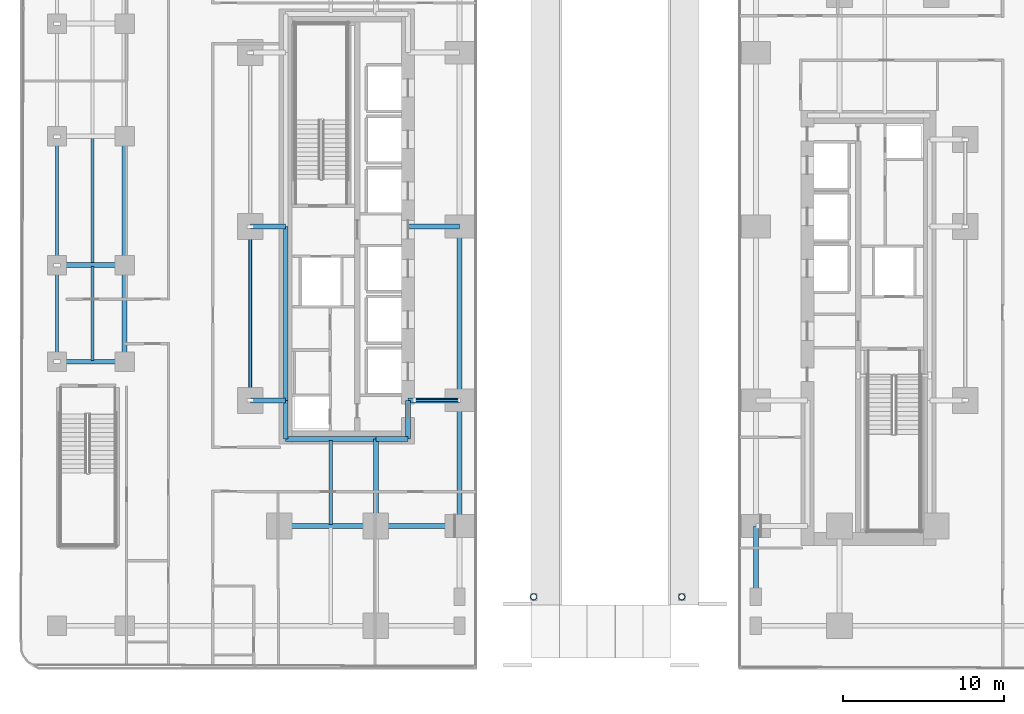
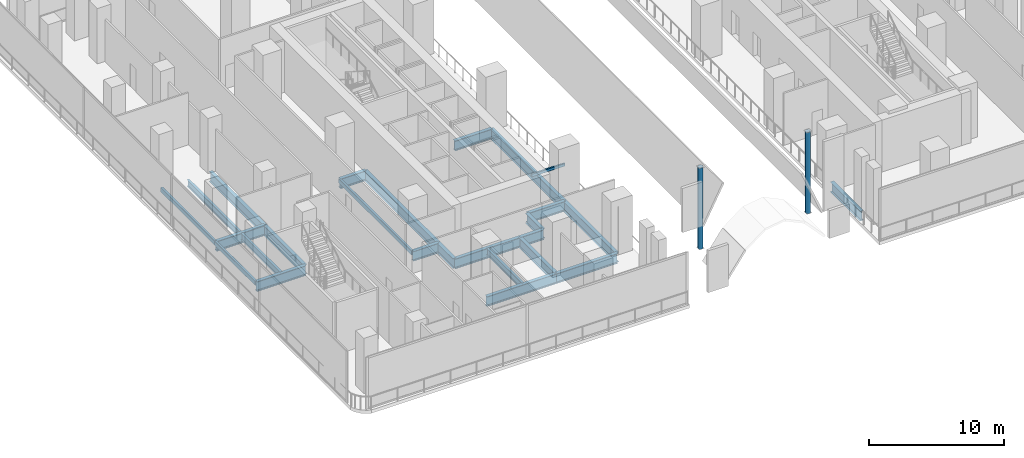
# One storey, part 2 of 31: 26 beams, 2 members.
"""IFC4 building model written with IfcOpenShell, lengths in metres."""

from ifc_helpers import new_model, si_unit, direction, frame, origin, origin_2d, place, context, subcontext, project, spatial, hollow_rectangle, hollow_circle, i_section, extrude, material, material_profile, profile_set, type_object, element, save


model = new_model("IFC4")

# Units and contexts
model_context = context("Model", 3, precision=1e-05, world=origin(), true_north=direction((0.0, 1.0)))
body_context = subcontext(model_context, "Body", "Model", "MODEL_VIEW")
ifc_project = project(units=[si_unit("LENGTHUNIT", "METRE"), si_unit("AREAUNIT", "SQUARE_METRE"), si_unit("VOLUMEUNIT", "CUBIC_METRE"), si_unit("PLANEANGLEUNIT", "RADIAN"), si_unit("MASSUNIT", "GRAM", prefix="KILO")], contexts=[model_context])

# Site, building, storey
site_placement = place(None, origin())
site = spatial("IfcSite", under=ifc_project, at=site_placement, CompositionType="ELEMENT")
building_placement = place(site_placement, origin())
building = spatial("IfcBuilding", under=site, at=building_placement, Name="Khairoan Windgate Tower", CompositionType="ELEMENT")
storey_placement = place(building_placement, frame((0.0, 0.0, 11.0)))
storey = spatial("IfcBuildingStorey", under=building, at=storey_placement, Name="L03", CompositionType="ELEMENT", Elevation=11.0)

# Beams
ifc_material_1 = material(Name="Steel S355", Category="steel")
ifc_material_profile_1 = material_profile(ifc_material_1, i_section(OverallWidth=0.300048828125, OverallDepth=0.89990234375, WebThickness=0.01611328125, FlangeThickness=0.028076171875, FilletRadius=0.028076171875, at=origin_2d()))
ifc_profile_set_1 = profile_set([ifc_material_profile_1], Name="Steel S355")
beam_type_1 = type_object("IfcBeamType", Name="Beam B-G1 H900x300x16x28", PredefinedType="BEAM", material=ifc_profile_set_1)
beam_1_placement = place(storey_placement, frame((-20.39990234375, -18.60009765625, -0.75), z_axis=(1.0, 0.0, 0.0), x_axis=(0.0, 1.0, 0.0)))
element("IfcBeam", 1, at=beam_1_placement, inside=storey, type_object=beam_type_1, Name="L03 E-W Primary Girder 07", PredefinedType="BEAM", context=body_context, shape_type="SweptSolid", body=[
    extrude(i_section(OverallWidth=0.300048828125, OverallDepth=0.89990234375, WebThickness=0.01611328125, FlangeThickness=0.028076171875, FilletRadius=0.028076171875, at=origin_2d()), origin(), (0.0, 0.0, 1.0), 6.0),
])
beam_2_placement = place(storey_placement, frame((-14.39990234375, -18.60009765625, -0.75), z_axis=(1.0, 0.0, 0.0), x_axis=(0.0, 1.0, 0.0)))
element("IfcBeam", 2, at=beam_2_placement, inside=storey, type_object=beam_type_1, Name="L03 E-W Primary Girder 08", PredefinedType="BEAM", context=body_context, shape_type="SweptSolid", body=[
    extrude(i_section(OverallWidth=0.300048828125, OverallDepth=0.89990234375, WebThickness=0.01611328125, FlangeThickness=0.028076171875, FilletRadius=0.028076171875, at=origin_2d()), origin(), (0.0, 0.0, 1.0), 5.199951171875),
])
beam_3_placement = place(storey_placement, frame((-20.0, -13.199951171875, -0.75), z_axis=(1.0, 0.0, 0.0), x_axis=(0.0, 1.0, 0.0)))
element("IfcBeam", 3, at=beam_3_placement, inside=storey, type_object=beam_type_1, Name="L03 E-W Primary Girder 10", PredefinedType="BEAM", context=body_context, shape_type="SweptSolid", body=[
    extrude(i_section(OverallWidth=0.300048828125, OverallDepth=0.89990234375, WebThickness=0.01611328125, FlangeThickness=0.028076171875, FilletRadius=0.028076171875, at=origin_2d()), origin(), (0.0, 0.0, 1.0), 5.60009765625),
])
beam_4_placement = place(storey_placement, frame((-14.39990234375, -13.199951171875, -0.75), z_axis=(1.0, 0.0, 0.0), x_axis=(0.0, 1.0, 0.0)))
element("IfcBeam", 4, at=beam_4_placement, inside=storey, type_object=beam_type_1, Name="L03 E-W Primary Girder 11", PredefinedType="BEAM", context=body_context, shape_type="SweptSolid", body=[
    extrude(i_section(OverallWidth=0.300048828125, OverallDepth=0.89990234375, WebThickness=0.01611328125, FlangeThickness=0.028076171875, FilletRadius=0.028076171875, at=origin_2d()), origin(), (0.0, 0.0, 1.0), 2.0),
])
beam_5_placement = place(storey_placement, frame((-22.199951171875, -10.800048828125, -0.75), z_axis=(1.0, 0.0, 0.0), x_axis=(0.0, 1.0, 0.0)))
element("IfcBeam", 5, at=beam_5_placement, inside=storey, type_object=beam_type_1, Name="L03 E-W Primary Girder 12", PredefinedType="BEAM", context=body_context, shape_type="SweptSolid", body=[
    extrude(i_section(OverallWidth=0.300048828125, OverallDepth=0.89990234375, WebThickness=0.01611328125, FlangeThickness=0.028076171875, FilletRadius=0.028076171875, at=origin_2d()), origin(), (0.0, 0.0, 1.0), 2.199951171875),
])
beam_6_placement = place(storey_placement, frame((-12.39990234375, -10.800048828125, -0.75), z_axis=(1.0, 0.0, 0.0), x_axis=(0.0, 1.0, 0.0)))
element("IfcBeam", 6, at=beam_6_placement, inside=storey, type_object=beam_type_1, Name="L03 E-W Primary Girder 13", PredefinedType="BEAM", context=body_context, shape_type="SweptSolid", body=[
    extrude(i_section(OverallWidth=0.300048828125, OverallDepth=0.89990234375, WebThickness=0.01611328125, FlangeThickness=0.028076171875, FilletRadius=0.028076171875, at=origin_2d()), origin(), (0.0, 0.0, 1.0), 3.199951171875),
])
for number, where, z_axis, x_axis, name in (
    (7, (-34.199951171875, -8.39990234375, -0.75), (1.0, 0.0, 0.0), (0.0, 1.0, 0.0), "L03 E-W Primary Girder 16"),
    (8, (-34.199951171875, -2.39990234375, -0.75), (1.0, 0.0, 0.0), (0.0, 1.0, 0.0), "L03 E-W Primary Girder 18"),
):
    element("IfcBeam", number, at=place(storey_placement, frame(where, z_axis=z_axis, x_axis=x_axis)), inside=storey, type_object=beam_type_1, Name=name, PredefinedType="BEAM", context=body_context, shape_type="SweptSolid", body=[
        extrude(i_section(OverallWidth=0.300048828125, OverallDepth=0.89990234375, WebThickness=0.01611328125, FlangeThickness=0.028076171875, FilletRadius=0.028076171875, at=origin_2d()), origin(), (0.0, 0.0, 1.0), 4.199951171875),
    ])
beam_7_placement = place(storey_placement, frame((-22.199951171875, 0.0, -0.75), z_axis=(1.0, 0.0, 0.0), x_axis=(0.0, 1.0, 0.0)))
element("IfcBeam", 9, at=beam_7_placement, inside=storey, type_object=beam_type_1, Name="L03 E-W Primary Girder 20", PredefinedType="BEAM", context=body_context, shape_type="SweptSolid", body=[
    extrude(i_section(OverallWidth=0.300048828125, OverallDepth=0.89990234375, WebThickness=0.01611328125, FlangeThickness=0.028076171875, FilletRadius=0.028076171875, at=origin_2d()), origin(), (0.0, 0.0, 1.0), 2.199951171875),
])
beam_8_placement = place(storey_placement, frame((-12.39990234375, 0.0, -0.75), z_axis=(1.0, 0.0, 0.0), x_axis=(0.0, 1.0, 0.0)))
element("IfcBeam", 10, at=beam_8_placement, inside=storey, type_object=beam_type_1, Name="L03 E-W Primary Girder 21", PredefinedType="BEAM", context=body_context, shape_type="SweptSolid", body=[
    extrude(i_section(OverallWidth=0.300048828125, OverallDepth=0.89990234375, WebThickness=0.01611328125, FlangeThickness=0.028076171875, FilletRadius=0.028076171875, at=origin_2d()), origin(), (0.0, 0.0, 1.0), 3.199951171875),
])
beam_9_placement = place(storey_placement, frame((-30.0, -8.39990234375, -0.75), z_axis=(0.0, 1.0, 0.0), x_axis=(-1.0, 0.0, 0.0)))
element("IfcBeam", 11, at=beam_9_placement, inside=storey, type_object=beam_type_1, Name="L03 N-S Primary Beam 48", PredefinedType="BEAM", context=body_context, shape_type="SweptSolid", body=[
    extrude(i_section(OverallWidth=0.300048828125, OverallDepth=0.89990234375, WebThickness=0.01611328125, FlangeThickness=0.028076171875, FilletRadius=0.028076171875, at=origin_2d()), origin(), (0.0, 0.0, 1.0), 6.0),
])
beam_10_placement = place(storey_placement, frame((-30.0, -2.39990234375, -0.75), z_axis=(0.0, 1.0, 0.0), x_axis=(-1.0, 0.0, 0.0)))
element("IfcBeam", 12, at=beam_10_placement, inside=storey, type_object=beam_type_1, Name="L03 N-S Primary Beam 49", PredefinedType="BEAM", context=body_context, shape_type="SweptSolid", body=[
    extrude(i_section(OverallWidth=0.300048828125, OverallDepth=0.89990234375, WebThickness=0.01611328125, FlangeThickness=0.028076171875, FilletRadius=0.028076171875, at=origin_2d()), origin(), (0.0, 0.0, 1.0), 8.0),
])
beam_11_placement = place(storey_placement, frame((-20.0, -13.199951171875, -0.75), z_axis=(0.0, 1.0, 0.0), x_axis=(-1.0, 0.0, 0.0)))
element("IfcBeam", 13, at=beam_11_placement, inside=storey, type_object=beam_type_1, Name="L03 N-S Primary Beam 55", PredefinedType="BEAM", context=body_context, shape_type="SweptSolid", body=[
    extrude(i_section(OverallWidth=0.300048828125, OverallDepth=0.89990234375, WebThickness=0.01611328125, FlangeThickness=0.028076171875, FilletRadius=0.028076171875, at=origin_2d()), origin(), (0.0, 0.0, 1.0), 2.39990234375),
])
beam_12_placement = place(storey_placement, frame((-20.0, -10.800048828125, -0.75), z_axis=(0.0, 1.0, 0.0), x_axis=(-1.0, 0.0, 0.0)))
element("IfcBeam", 14, at=beam_12_placement, inside=storey, type_object=beam_type_1, Name="L03 N-S Primary Beam 56", PredefinedType="BEAM", context=body_context, shape_type="SweptSolid", body=[
    extrude(i_section(OverallWidth=0.300048828125, OverallDepth=0.89990234375, WebThickness=0.01611328125, FlangeThickness=0.028076171875, FilletRadius=0.028076171875, at=origin_2d()), origin(), (0.0, 0.0, 1.0), 10.800048828125),
])
beam_13_placement = place(storey_placement, frame((-14.39990234375, -18.60009765625, -0.75), z_axis=(0.0, 1.0, 0.0), x_axis=(-1.0, 0.0, 0.0)))
element("IfcBeam", 15, at=beam_13_placement, inside=storey, type_object=beam_type_1, Name="L03 N-S Primary Beam 60", PredefinedType="BEAM", context=body_context, shape_type="SweptSolid", body=[
    extrude(i_section(OverallWidth=0.300048828125, OverallDepth=0.89990234375, WebThickness=0.01611328125, FlangeThickness=0.028076171875, FilletRadius=0.028076171875, at=origin_2d()), origin(), (0.0, 0.0, 1.0), 5.400146484375),
])
beam_14_placement = place(storey_placement, frame((-12.39990234375, -13.199951171875, -0.75), z_axis=(0.0, 1.0, 0.0), x_axis=(-1.0, 0.0, 0.0)))
element("IfcBeam", 16, at=beam_14_placement, inside=storey, type_object=beam_type_1, Name="L03 N-S Primary Beam 63", PredefinedType="BEAM", context=body_context, shape_type="SweptSolid", body=[
    extrude(i_section(OverallWidth=0.300048828125, OverallDepth=0.89990234375, WebThickness=0.01611328125, FlangeThickness=0.028076171875, FilletRadius=0.028076171875, at=origin_2d()), origin(), (0.0, 0.0, 1.0), 2.39990234375),
])
beam_15_placement = place(storey_placement, frame((-9.199951171875, -18.60009765625, -0.75), z_axis=(0.0, 1.0, 0.0), x_axis=(-1.0, 0.0, 0.0)))
element("IfcBeam", 17, at=beam_15_placement, inside=storey, type_object=beam_type_1, Name="L03 N-S Primary Beam 66", PredefinedType="BEAM", context=body_context, shape_type="SweptSolid", body=[
    extrude(i_section(OverallWidth=0.300048828125, OverallDepth=0.89990234375, WebThickness=0.01611328125, FlangeThickness=0.028076171875, FilletRadius=0.028076171875, at=origin_2d()), origin(), (0.0, 0.0, 1.0), 7.800048828125),
])
beam_16_placement = place(storey_placement, frame((-9.199951171875, -10.800048828125, -0.75), z_axis=(0.0, 1.0, 0.0), x_axis=(-1.0, 0.0, 0.0)))
element("IfcBeam", 18, at=beam_16_placement, inside=storey, type_object=beam_type_1, Name="L03 N-S Primary Beam 67", PredefinedType="BEAM", context=body_context, shape_type="SweptSolid", body=[
    extrude(i_section(OverallWidth=0.300048828125, OverallDepth=0.89990234375, WebThickness=0.01611328125, FlangeThickness=0.028076171875, FilletRadius=0.028076171875, at=origin_2d()), origin(), (0.0, 0.0, 1.0), 10.800048828125),
])
beam_17_placement = place(storey_placement, frame((9.199951171875, -23.0, -0.75), z_axis=(0.0, 1.0, 0.0), x_axis=(-1.0, 0.0, 0.0)))
element("IfcBeam", 19, at=beam_17_placement, inside=storey, type_object=beam_type_1, Name="L03 N-S Primary Beam 71", PredefinedType="BEAM", context=body_context, shape_type="SweptSolid", body=[
    extrude(i_section(OverallWidth=0.300048828125, OverallDepth=0.89990234375, WebThickness=0.01611328125, FlangeThickness=0.028076171875, FilletRadius=0.028076171875, at=origin_2d()), origin(), (0.0, 0.0, 1.0), 4.39990234375),
])
ifc_material_2 = material(Name="Steel S355", Category="steel")
ifc_material_profile_2 = material_profile(ifc_material_2, i_section(OverallWidth=0.199951171875, OverallDepth=0.60009765625, WebThickness=0.010986328125, FlangeThickness=0.01708984375, FilletRadius=0.02197265625, at=origin_2d()))
ifc_profile_set_2 = profile_set([ifc_material_profile_2], Name="Steel S355")
beam_type_2 = type_object("IfcBeamType", Name="Beam J-S1 H600x200x11x17", PredefinedType="JOIST", material=ifc_profile_set_2)
beam_18_placement = place(storey_placement, frame((-32.0, -8.31005859375, -0.60009765625), z_axis=(0.0, 1.0, 0.0), x_axis=(-1.0, 0.0, 0.0)))
element("IfcBeam", 20, at=beam_18_placement, inside=storey, type_object=beam_type_2, Name="L03 Secondary Floor Joist 01", PredefinedType="JOIST", context=body_context, shape_type="SweptSolid", body=[
    extrude(i_section(OverallWidth=0.199951171875, OverallDepth=0.60009765625, WebThickness=0.010986328125, FlangeThickness=0.01708984375, FilletRadius=0.02197265625, at=origin_2d()), origin(), (0.0, 0.0, 1.0), 5.820068359375),
])
beam_19_placement = place(storey_placement, frame((-32.0, -2.31005859375, -0.60009765625), z_axis=(0.0, 1.0, 0.0), x_axis=(-1.0, 0.0, 0.0)))
element("IfcBeam", 21, at=beam_19_placement, inside=storey, type_object=beam_type_2, Name="L03 Secondary Floor Joist 02", PredefinedType="JOIST", context=body_context, shape_type="SweptSolid", body=[
    extrude(i_section(OverallWidth=0.199951171875, OverallDepth=0.60009765625, WebThickness=0.010986328125, FlangeThickness=0.01708984375, FilletRadius=0.02197265625, at=origin_2d()), origin(), (0.0, 0.0, 1.0), 7.820068359375),
])
beam_20_placement = place(storey_placement, frame((-17.199951171875, -18.510009765625, -0.60009765625), z_axis=(0.0, 1.0, 0.0), x_axis=(-1.0, 0.0, 0.0)))
element("IfcBeam", 22, at=beam_20_placement, inside=storey, type_object=beam_type_2, Name="L03 Secondary Floor Joist 07", PredefinedType="JOIST", context=body_context, shape_type="SweptSolid", body=[
    extrude(i_section(OverallWidth=0.199951171875, OverallDepth=0.60009765625, WebThickness=0.010986328125, FlangeThickness=0.01708984375, FilletRadius=0.02197265625, at=origin_2d()), origin(), (0.0, 0.0, 1.0), 5.219970703125),
])
ifc_material_3 = material(Name="Steel S355", Category="steel")
ifc_material_profile_3 = material_profile(ifc_material_3, hollow_rectangle(XDim=0.14990234375, YDim=0.25, WallThickness=0.010009765625, InnerFilletRadius=0.010009765625, OuterFilletRadius=0.02001953125, at=origin_2d()))
ifc_profile_set_3 = profile_set([ifc_material_profile_3], Name="Steel S355")
beam_type_3 = type_object("IfcBeamType", Name="Beam LN-B1 RHS250x150x10", PredefinedType="LINTEL", material=ifc_profile_set_3)
beam_21_placement = place(storey_placement, frame((-12.02001953125, -10.800048828125, 2.949951171875), z_axis=(1.0, 0.0, 0.0), x_axis=(0.0, 1.0, 0.0)))
element("IfcBeam", 23, at=beam_21_placement, inside=storey, type_object=beam_type_3, Name="Core Lobby Opening Lintel L03", PredefinedType="LINTEL", context=body_context, shape_type="SweptSolid", body=[
    extrude(hollow_rectangle(XDim=0.14990234375, YDim=0.25, WallThickness=0.010009765625, InnerFilletRadius=0.010009765625, OuterFilletRadius=0.02001953125, at=origin_2d()), origin(), (0.0, 0.0, 1.0), 2.820068359375),
])
ifc_material_4 = material(Name="Steel S355", Category="steel")
ifc_material_profile_4 = material_profile(ifc_material_4, hollow_rectangle(XDim=0.199951171875, YDim=0.39990234375, WallThickness=0.013916015625, InnerFilletRadius=0.013916015625, OuterFilletRadius=0.028076171875, at=origin_2d()))
ifc_profile_set_4 = profile_set([ifc_material_profile_4], Name="Steel S355")
beam_type_4 = type_object("IfcBeamType", Name="Beam SP-B1 RHS400x200x14", PredefinedType="SPANDREL", material=ifc_profile_set_4)
beam_22_placement = place(storey_placement, frame((-34.199951171875, -8.39990234375, -0.5), z_axis=(0.0, 1.0, 0.0), x_axis=(-1.0, 0.0, 0.0)))
element("IfcBeam", 24, at=beam_22_placement, inside=storey, type_object=beam_type_4, Name="L03 Spandrel Beam 43", PredefinedType="SPANDREL", context=body_context, shape_type="SweptSolid", body=[
    extrude(hollow_rectangle(XDim=0.199951171875, YDim=0.39990234375, WallThickness=0.013916015625, InnerFilletRadius=0.013916015625, OuterFilletRadius=0.028076171875, at=origin_2d()), origin(), (0.0, 0.0, 1.0), 6.0),
])
beam_23_placement = place(storey_placement, frame((-34.199951171875, -2.39990234375, -0.5), z_axis=(0.0, 1.0, 0.0), x_axis=(-1.0, 0.0, 0.0)))
element("IfcBeam", 25, at=beam_23_placement, inside=storey, type_object=beam_type_4, Name="L03 Spandrel Beam 44", PredefinedType="SPANDREL", context=body_context, shape_type="SweptSolid", body=[
    extrude(hollow_rectangle(XDim=0.199951171875, YDim=0.39990234375, WallThickness=0.013916015625, InnerFilletRadius=0.013916015625, OuterFilletRadius=0.028076171875, at=origin_2d()), origin(), (0.0, 0.0, 1.0), 8.0),
])
beam_24_placement = place(storey_placement, frame((-22.199951171875, -10.800048828125, -0.5), z_axis=(0.0, 1.0, 0.0), x_axis=(-1.0, 0.0, 0.0)))
element("IfcBeam", 26, at=beam_24_placement, inside=storey, type_object=beam_type_4, Name="L03 Spandrel Beam 53", PredefinedType="SPANDREL", context=body_context, shape_type="SweptSolid", body=[
    extrude(hollow_rectangle(XDim=0.199951171875, YDim=0.39990234375, WallThickness=0.013916015625, InnerFilletRadius=0.013916015625, OuterFilletRadius=0.028076171875, at=origin_2d()), origin(), (0.0, 0.0, 1.0), 10.800048828125),
])

# Members
ifc_material_5 = material(Name="Steel S355", Category="steel")
ifc_material_profile_5 = material_profile(ifc_material_5, hollow_circle(Radius=0.203125, WallThickness=0.02001953125, at=origin_2d()))
ifc_profile_set_5 = profile_set([ifc_material_profile_5], Name="Steel S355")
member_type = type_object("IfcMemberType", Name="Structural Member PS-AR1 CHS406.4x20", PredefinedType="POST", material=ifc_profile_set_5)
for number, where, z_axis, x_axis, name in (
    (27, (-4.60009765625, -23.0, 1.175048828125), (0.0, 0.0, 1.0), (1.0, 0.0, 0.0), "Podium Arch Spandrel Post S-1"),
    (28, (4.60009765625, -23.0, 1.175048828125), (0.0, 0.0, 1.0), (1.0, 0.0, 0.0), "Podium Arch Spandrel Post S-2"),
):
    element("IfcMember", number, at=place(storey_placement, frame(where, z_axis=z_axis, x_axis=x_axis)), inside=storey, type_object=member_type, Name=name, PredefinedType="POST", context=body_context, shape_type="SweptSolid", body=[
        extrude(hollow_circle(Radius=0.203125, WallThickness=0.02001953125, at=origin_2d()), origin(), (0.0, 0.0, 1.0), 7.375),
    ])

save(model, "model.ifc")
